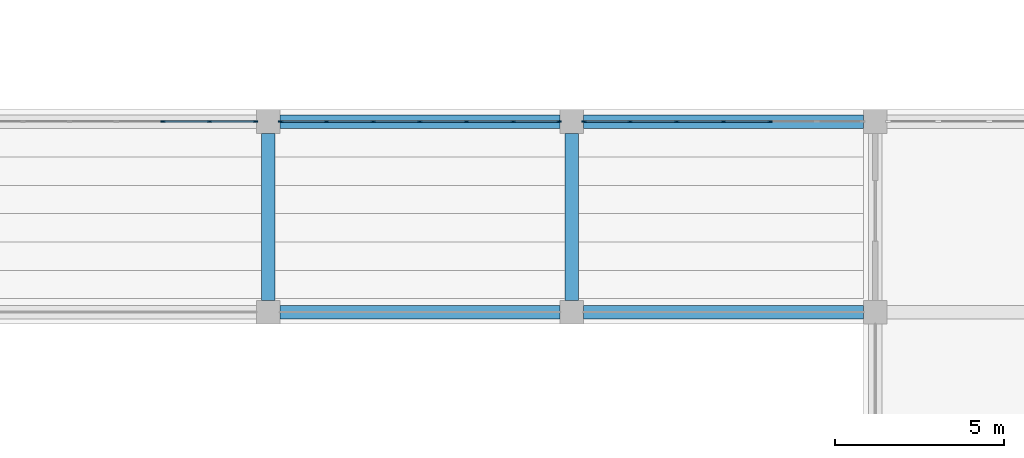
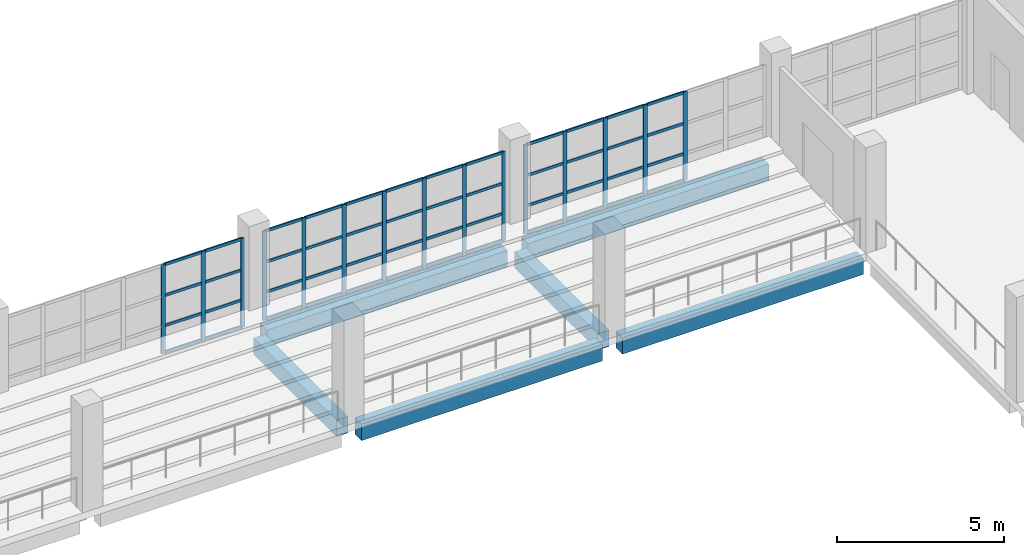
# One storey, part 10 of 36: 63 members, 6 beams, 3 elements without a shape of their own.
"""IFC4 building model written with IfcOpenShell, lengths in metres."""

from ifc_helpers import new_model, si_unit, direction, frame, origin, origin_2d, place, context, subcontext, project, spatial, rectangle, extrude, material, layer, layer_set, material_profile, profile_set, type_object, element, aggregate, save


model = new_model("IFC4")

# Units and contexts
model_context = context("Model", 3, precision=1e-05, world=origin(), true_north=direction((0.0, 1.0)))
body_context = subcontext(model_context, "Body", "Model", "MODEL_VIEW")
ifc_project = project(units=[si_unit("LENGTHUNIT", "METRE"), si_unit("AREAUNIT", "SQUARE_METRE"), si_unit("VOLUMEUNIT", "CUBIC_METRE"), si_unit("PLANEANGLEUNIT", "RADIAN"), si_unit("MASSUNIT", "GRAM", prefix="KILO")], contexts=[model_context])

# Site, building, storey
site_placement = place(None, origin())
site = spatial("IfcSite", under=ifc_project, at=site_placement, CompositionType="ELEMENT")
building_placement = place(site_placement, origin())
building = spatial("IfcBuilding", under=site, at=building_placement, Name="Corbel Stack Research Tower", CompositionType="ELEMENT")
storey_placement = place(building_placement, frame((0.0, 0.0, 7.199951171875)))
storey = spatial("IfcBuildingStorey", under=building, at=storey_placement, Name="L01", CompositionType="ELEMENT", Elevation=7.199951171875)

# Curtain wall, members
ifc_material_1 = material(Name="Aluminium", Category="aluminium")
ifc_layer = layer(ifc_material_1, 0.139892578125)
ifc_layer_set = layer_set([ifc_layer], Name="Aluminium")
curtain_wall_type = type_object("IfcCurtainWallType", Name="CW6 gallery curtain wall", PredefinedType="NOTDEFINED", material=ifc_layer_set)
curtain_wall_1_placement = place(storey_placement, origin())
curtain_wall_1 = element("IfcCurtainWall", 1, at=curtain_wall_1_placement, inside=storey, type_object=curtain_wall_type, Name="Gallery curtain wall L01 10", PredefinedType="NOTDEFINED")
ifc_material_2 = material(Name="Aluminium", Category="aluminium")
ifc_material_profile_1 = material_profile(ifc_material_2, rectangle(XDim=0.050048828125, YDim=0.139892578125, at=origin_2d()), Name="Mullion 50 x 140")
ifc_profile_set_1 = profile_set([ifc_material_profile_1], Name="Aluminium")
member_type_1 = type_object("IfcMemberType", Name="CW6 mullion 50 x 140", PredefinedType="MULLION", material=ifc_profile_set_1)
member_1_placement = place(storey_placement, frame((65.833251953125, 23.64990234375, 0.0), z_axis=(0.0, 0.0, 1.0), x_axis=(0.0, 1.0, 0.0)))
member_1 = element("IfcMember", 2, at=member_1_placement, type_object=member_type_1, Name="CW6 mullion 5", PredefinedType="MULLION", context=body_context, shape_type="SweptSolid", body=[
    extrude(rectangle(XDim=0.050048828125, YDim=0.139892578125, at=origin_2d()), origin(), (0.0, 0.0, 1.0), 3.25),
])
member_2_placement = place(storey_placement, frame((67.216552734375, 23.64990234375, 0.0), z_axis=(0.0, 0.0, 1.0), x_axis=(0.0, 1.0, 0.0)))
member_2 = element("IfcMember", 3, at=member_2_placement, type_object=member_type_1, Name="CW6 mullion 6", PredefinedType="MULLION", context=body_context, shape_type="SweptSolid", body=[
    extrude(rectangle(XDim=0.050048828125, YDim=0.139892578125, at=origin_2d()), origin(), (0.0, 0.0, 1.0), 3.25),
])
member_3_placement = place(storey_placement, frame((68.574951171875, 23.64990234375, 0.0), z_axis=(0.0, 0.0, 1.0), x_axis=(0.0, 1.0, 0.0)))
member_3 = element("IfcMember", 4, at=member_3_placement, type_object=member_type_1, Name="CW6 mullion 7", PredefinedType="MULLION", context=body_context, shape_type="SweptSolid", body=[
    extrude(rectangle(XDim=0.050048828125, YDim=0.139892578125, at=origin_2d()), origin(), (0.0, 0.0, 1.0), 3.25),
])

curtain_wall_2_placement = place(storey_placement, origin())
curtain_wall_2 = element("IfcCurtainWall", 5, at=curtain_wall_2_placement, inside=storey, type_object=curtain_wall_type, Name="Gallery curtain wall L01 11", PredefinedType="NOTDEFINED")
member_4_placement = place(storey_placement, frame((69.324951171875, 23.64990234375, 0.0), z_axis=(0.0, 0.0, 1.0), x_axis=(0.0, 1.0, 0.0)))
member_4 = element("IfcMember", 6, at=member_4_placement, type_object=member_type_1, Name="CW6 mullion 1", PredefinedType="MULLION", context=body_context, shape_type="SweptSolid", body=[
    extrude(rectangle(XDim=0.050048828125, YDim=0.139892578125, at=origin_2d()), origin(), (0.0, 0.0, 1.0), 3.25),
])
member_5_placement = place(storey_placement, frame((70.683349609375, 23.64990234375, 0.0), z_axis=(0.0, 0.0, 1.0), x_axis=(0.0, 1.0, 0.0)))
member_5 = element("IfcMember", 7, at=member_5_placement, type_object=member_type_1, Name="CW6 mullion 2", PredefinedType="MULLION", context=body_context, shape_type="SweptSolid", body=[
    extrude(rectangle(XDim=0.050048828125, YDim=0.139892578125, at=origin_2d()), origin(), (0.0, 0.0, 1.0), 3.25),
])
member_6_placement = place(storey_placement, frame((72.066650390625, 23.64990234375, 0.0), z_axis=(0.0, 0.0, 1.0), x_axis=(0.0, 1.0, 0.0)))
member_6 = element("IfcMember", 8, at=member_6_placement, type_object=member_type_1, Name="CW6 mullion 3", PredefinedType="MULLION", context=body_context, shape_type="SweptSolid", body=[
    extrude(rectangle(XDim=0.050048828125, YDim=0.139892578125, at=origin_2d()), origin(), (0.0, 0.0, 1.0), 3.25),
])
member_7_placement = place(storey_placement, frame((73.449951171875, 23.64990234375, 0.0), z_axis=(0.0, 0.0, 1.0), x_axis=(0.0, 1.0, 0.0)))
member_7 = element("IfcMember", 9, at=member_7_placement, type_object=member_type_1, Name="CW6 mullion 4", PredefinedType="MULLION", context=body_context, shape_type="SweptSolid", body=[
    extrude(rectangle(XDim=0.050048828125, YDim=0.139892578125, at=origin_2d()), origin(), (0.0, 0.0, 1.0), 3.25),
])
member_8_placement = place(storey_placement, frame((74.833251953125, 23.64990234375, 0.0), z_axis=(0.0, 0.0, 1.0), x_axis=(0.0, 1.0, 0.0)))
member_8 = element("IfcMember", 10, at=member_8_placement, type_object=member_type_1, Name="CW6 mullion 5", PredefinedType="MULLION", context=body_context, shape_type="SweptSolid", body=[
    extrude(rectangle(XDim=0.050048828125, YDim=0.139892578125, at=origin_2d()), origin(), (0.0, 0.0, 1.0), 3.25),
])
member_9_placement = place(storey_placement, frame((76.216552734375, 23.64990234375, 0.0), z_axis=(0.0, 0.0, 1.0), x_axis=(0.0, 1.0, 0.0)))
member_9 = element("IfcMember", 11, at=member_9_placement, type_object=member_type_1, Name="CW6 mullion 6", PredefinedType="MULLION", context=body_context, shape_type="SweptSolid", body=[
    extrude(rectangle(XDim=0.050048828125, YDim=0.139892578125, at=origin_2d()), origin(), (0.0, 0.0, 1.0), 3.25),
])
member_10_placement = place(storey_placement, frame((77.574951171875, 23.64990234375, 0.0), z_axis=(0.0, 0.0, 1.0), x_axis=(0.0, 1.0, 0.0)))
member_10 = element("IfcMember", 12, at=member_10_placement, type_object=member_type_1, Name="CW6 mullion 7", PredefinedType="MULLION", context=body_context, shape_type="SweptSolid", body=[
    extrude(rectangle(XDim=0.050048828125, YDim=0.139892578125, at=origin_2d()), origin(), (0.0, 0.0, 1.0), 3.25),
])

curtain_wall_3_placement = place(storey_placement, origin())
curtain_wall_3 = element("IfcCurtainWall", 13, at=curtain_wall_3_placement, inside=storey, type_object=curtain_wall_type, Name="Gallery curtain wall L01 12", PredefinedType="NOTDEFINED")
member_11_placement = place(storey_placement, frame((78.324951171875, 23.64990234375, 0.0), z_axis=(0.0, 0.0, 1.0), x_axis=(0.0, 1.0, 0.0)))
member_11 = element("IfcMember", 14, at=member_11_placement, type_object=member_type_1, Name="CW6 mullion 1", PredefinedType="MULLION", context=body_context, shape_type="SweptSolid", body=[
    extrude(rectangle(XDim=0.050048828125, YDim=0.139892578125, at=origin_2d()), origin(), (0.0, 0.0, 1.0), 3.25),
])
member_12_placement = place(storey_placement, frame((79.683349609375, 23.64990234375, 0.0), z_axis=(0.0, 0.0, 1.0), x_axis=(0.0, 1.0, 0.0)))
member_12 = element("IfcMember", 15, at=member_12_placement, type_object=member_type_1, Name="CW6 mullion 2", PredefinedType="MULLION", context=body_context, shape_type="SweptSolid", body=[
    extrude(rectangle(XDim=0.050048828125, YDim=0.139892578125, at=origin_2d()), origin(), (0.0, 0.0, 1.0), 3.25),
])
member_13_placement = place(storey_placement, frame((81.066650390625, 23.64990234375, 0.0), z_axis=(0.0, 0.0, 1.0), x_axis=(0.0, 1.0, 0.0)))
member_13 = element("IfcMember", 16, at=member_13_placement, type_object=member_type_1, Name="CW6 mullion 3", PredefinedType="MULLION", context=body_context, shape_type="SweptSolid", body=[
    extrude(rectangle(XDim=0.050048828125, YDim=0.139892578125, at=origin_2d()), origin(), (0.0, 0.0, 1.0), 3.25),
])
member_14_placement = place(storey_placement, frame((82.449951171875, 23.64990234375, 0.0), z_axis=(0.0, 0.0, 1.0), x_axis=(0.0, 1.0, 0.0)))
member_14 = element("IfcMember", 17, at=member_14_placement, type_object=member_type_1, Name="CW6 mullion 4", PredefinedType="MULLION", context=body_context, shape_type="SweptSolid", body=[
    extrude(rectangle(XDim=0.050048828125, YDim=0.139892578125, at=origin_2d()), origin(), (0.0, 0.0, 1.0), 3.25),
])
member_15_placement = place(storey_placement, frame((83.833251953125, 23.64990234375, 0.0), z_axis=(0.0, 0.0, 1.0), x_axis=(0.0, 1.0, 0.0)))
member_15 = element("IfcMember", 18, at=member_15_placement, type_object=member_type_1, Name="CW6 mullion 5", PredefinedType="MULLION", context=body_context, shape_type="SweptSolid", body=[
    extrude(rectangle(XDim=0.050048828125, YDim=0.139892578125, at=origin_2d()), origin(), (0.0, 0.0, 1.0), 3.25),
])

# Member
ifc_material_3 = material(Name="Aluminium", Category="aluminium")
ifc_material_profile_2 = material_profile(ifc_material_3, rectangle(XDim=0.050048828125, YDim=0.10009765625, at=origin_2d()), Name="Transom 50 x 100")
ifc_profile_set_2 = profile_set([ifc_material_profile_2], Name="Aluminium")
member_type_2 = type_object("IfcMemberType", Name="CW6 transom 50 x 100", PredefinedType="USERDEFINED", material=ifc_profile_set_2)
member_16_placement = place(storey_placement, frame((65.8583984375, 23.64990234375, 0.025146484375), z_axis=(1.0, 0.0, 0.0), x_axis=(0.0, 1.0, 0.0)))
member_16 = element("IfcMember", 19, at=member_16_placement, type_object=member_type_2, Name="CW6 transom 5.1", ObjectType="TRANSOM", PredefinedType="USERDEFINED", context=body_context, shape_type="SweptSolid", body=[
    extrude(rectangle(XDim=0.050048828125, YDim=0.10009765625, at=origin_2d()), origin(), (0.0, 0.0, 1.0), 1.333251953125),
])

member_17_placement = place(storey_placement, frame((65.8583984375, 23.64990234375, 1.0), z_axis=(1.0, 0.0, 0.0), x_axis=(0.0, 1.0, 0.0)))
member_17 = element("IfcMember", 20, at=member_17_placement, type_object=member_type_2, Name="CW6 transom 5.2", ObjectType="TRANSOM", PredefinedType="USERDEFINED", context=body_context, shape_type="SweptSolid", body=[
    extrude(rectangle(XDim=0.050048828125, YDim=0.10009765625, at=origin_2d()), origin(), (0.0, 0.0, 1.0), 1.333251953125),
])

member_18_placement = place(storey_placement, frame((65.8583984375, 23.64990234375, 2.10009765625), z_axis=(1.0, 0.0, 0.0), x_axis=(0.0, 1.0, 0.0)))
member_18 = element("IfcMember", 21, at=member_18_placement, type_object=member_type_2, Name="CW6 transom 5.3", ObjectType="TRANSOM", PredefinedType="USERDEFINED", context=body_context, shape_type="SweptSolid", body=[
    extrude(rectangle(XDim=0.050048828125, YDim=0.10009765625, at=origin_2d()), origin(), (0.0, 0.0, 1.0), 1.333251953125),
])

member_19_placement = place(storey_placement, frame((65.8583984375, 23.64990234375, 3.22509765625), z_axis=(1.0, 0.0, 0.0), x_axis=(0.0, 1.0, 0.0)))
member_19 = element("IfcMember", 22, at=member_19_placement, type_object=member_type_2, Name="CW6 transom 5.4", ObjectType="TRANSOM", PredefinedType="USERDEFINED", context=body_context, shape_type="SweptSolid", body=[
    extrude(rectangle(XDim=0.050048828125, YDim=0.10009765625, at=origin_2d()), origin(), (0.0, 0.0, 1.0), 1.333251953125),
])

member_20_placement = place(storey_placement, frame((67.24169921875, 23.64990234375, 0.025146484375), z_axis=(1.0, 0.0, 0.0), x_axis=(0.0, 1.0, 0.0)))
member_20 = element("IfcMember", 23, at=member_20_placement, type_object=member_type_2, Name="CW6 transom 6.1", ObjectType="TRANSOM", PredefinedType="USERDEFINED", context=body_context, shape_type="SweptSolid", body=[
    extrude(rectangle(XDim=0.050048828125, YDim=0.10009765625, at=origin_2d()), origin(), (0.0, 0.0, 1.0), 1.308349609375),
])

member_21_placement = place(storey_placement, frame((67.24169921875, 23.64990234375, 1.0), z_axis=(1.0, 0.0, 0.0), x_axis=(0.0, 1.0, 0.0)))
member_21 = element("IfcMember", 24, at=member_21_placement, type_object=member_type_2, Name="CW6 transom 6.2", ObjectType="TRANSOM", PredefinedType="USERDEFINED", context=body_context, shape_type="SweptSolid", body=[
    extrude(rectangle(XDim=0.050048828125, YDim=0.10009765625, at=origin_2d()), origin(), (0.0, 0.0, 1.0), 1.308349609375),
])

member_22_placement = place(storey_placement, frame((67.24169921875, 23.64990234375, 2.10009765625), z_axis=(1.0, 0.0, 0.0), x_axis=(0.0, 1.0, 0.0)))
member_22 = element("IfcMember", 25, at=member_22_placement, type_object=member_type_2, Name="CW6 transom 6.3", ObjectType="TRANSOM", PredefinedType="USERDEFINED", context=body_context, shape_type="SweptSolid", body=[
    extrude(rectangle(XDim=0.050048828125, YDim=0.10009765625, at=origin_2d()), origin(), (0.0, 0.0, 1.0), 1.308349609375),
])

member_23_placement = place(storey_placement, frame((67.24169921875, 23.64990234375, 3.22509765625), z_axis=(1.0, 0.0, 0.0), x_axis=(0.0, 1.0, 0.0)))
member_23 = element("IfcMember", 26, at=member_23_placement, type_object=member_type_2, Name="CW6 transom 6.4", ObjectType="TRANSOM", PredefinedType="USERDEFINED", context=body_context, shape_type="SweptSolid", body=[
    extrude(rectangle(XDim=0.050048828125, YDim=0.10009765625, at=origin_2d()), origin(), (0.0, 0.0, 1.0), 1.308349609375),
])

aggregate(curtain_wall_1, [member_1, member_2, member_3, member_16, member_17, member_18, member_19, member_20, member_21, member_22, member_23])

member_24_placement = place(storey_placement, frame((69.35009765625, 23.64990234375, 0.025146484375), z_axis=(1.0, 0.0, 0.0), x_axis=(0.0, 1.0, 0.0)))
member_24 = element("IfcMember", 27, at=member_24_placement, type_object=member_type_2, Name="CW6 transom 1.1", ObjectType="TRANSOM", PredefinedType="USERDEFINED", context=body_context, shape_type="SweptSolid", body=[
    extrude(rectangle(XDim=0.050048828125, YDim=0.10009765625, at=origin_2d()), origin(), (0.0, 0.0, 1.0), 1.308349609375),
])

member_25_placement = place(storey_placement, frame((69.35009765625, 23.64990234375, 1.0), z_axis=(1.0, 0.0, 0.0), x_axis=(0.0, 1.0, 0.0)))
member_25 = element("IfcMember", 28, at=member_25_placement, type_object=member_type_2, Name="CW6 transom 1.2", ObjectType="TRANSOM", PredefinedType="USERDEFINED", context=body_context, shape_type="SweptSolid", body=[
    extrude(rectangle(XDim=0.050048828125, YDim=0.10009765625, at=origin_2d()), origin(), (0.0, 0.0, 1.0), 1.308349609375),
])

member_26_placement = place(storey_placement, frame((69.35009765625, 23.64990234375, 2.10009765625), z_axis=(1.0, 0.0, 0.0), x_axis=(0.0, 1.0, 0.0)))
member_26 = element("IfcMember", 29, at=member_26_placement, type_object=member_type_2, Name="CW6 transom 1.3", ObjectType="TRANSOM", PredefinedType="USERDEFINED", context=body_context, shape_type="SweptSolid", body=[
    extrude(rectangle(XDim=0.050048828125, YDim=0.10009765625, at=origin_2d()), origin(), (0.0, 0.0, 1.0), 1.308349609375),
])

member_27_placement = place(storey_placement, frame((69.35009765625, 23.64990234375, 3.22509765625), z_axis=(1.0, 0.0, 0.0), x_axis=(0.0, 1.0, 0.0)))
member_27 = element("IfcMember", 30, at=member_27_placement, type_object=member_type_2, Name="CW6 transom 1.4", ObjectType="TRANSOM", PredefinedType="USERDEFINED", context=body_context, shape_type="SweptSolid", body=[
    extrude(rectangle(XDim=0.050048828125, YDim=0.10009765625, at=origin_2d()), origin(), (0.0, 0.0, 1.0), 1.308349609375),
])

member_28_placement = place(storey_placement, frame((70.708251953125, 23.64990234375, 0.025146484375), z_axis=(1.0, 0.0, 0.0), x_axis=(0.0, 1.0, 0.0)))
member_28 = element("IfcMember", 31, at=member_28_placement, type_object=member_type_2, Name="CW6 transom 2.1", ObjectType="TRANSOM", PredefinedType="USERDEFINED", context=body_context, shape_type="SweptSolid", body=[
    extrude(rectangle(XDim=0.050048828125, YDim=0.10009765625, at=origin_2d()), origin(), (0.0, 0.0, 1.0), 1.33349609375),
])

member_29_placement = place(storey_placement, frame((70.708251953125, 23.64990234375, 1.0), z_axis=(1.0, 0.0, 0.0), x_axis=(0.0, 1.0, 0.0)))
member_29 = element("IfcMember", 32, at=member_29_placement, type_object=member_type_2, Name="CW6 transom 2.2", ObjectType="TRANSOM", PredefinedType="USERDEFINED", context=body_context, shape_type="SweptSolid", body=[
    extrude(rectangle(XDim=0.050048828125, YDim=0.10009765625, at=origin_2d()), origin(), (0.0, 0.0, 1.0), 1.33349609375),
])

member_30_placement = place(storey_placement, frame((70.708251953125, 23.64990234375, 2.10009765625), z_axis=(1.0, 0.0, 0.0), x_axis=(0.0, 1.0, 0.0)))
member_30 = element("IfcMember", 33, at=member_30_placement, type_object=member_type_2, Name="CW6 transom 2.3", ObjectType="TRANSOM", PredefinedType="USERDEFINED", context=body_context, shape_type="SweptSolid", body=[
    extrude(rectangle(XDim=0.050048828125, YDim=0.10009765625, at=origin_2d()), origin(), (0.0, 0.0, 1.0), 1.33349609375),
])

member_31_placement = place(storey_placement, frame((70.708251953125, 23.64990234375, 3.22509765625), z_axis=(1.0, 0.0, 0.0), x_axis=(0.0, 1.0, 0.0)))
member_31 = element("IfcMember", 34, at=member_31_placement, type_object=member_type_2, Name="CW6 transom 2.4", ObjectType="TRANSOM", PredefinedType="USERDEFINED", context=body_context, shape_type="SweptSolid", body=[
    extrude(rectangle(XDim=0.050048828125, YDim=0.10009765625, at=origin_2d()), origin(), (0.0, 0.0, 1.0), 1.33349609375),
])

member_32_placement = place(storey_placement, frame((72.091552734375, 23.64990234375, 0.025146484375), z_axis=(1.0, 0.0, 0.0), x_axis=(0.0, 1.0, 0.0)))
member_32 = element("IfcMember", 35, at=member_32_placement, type_object=member_type_2, Name="CW6 transom 3.1", ObjectType="TRANSOM", PredefinedType="USERDEFINED", context=body_context, shape_type="SweptSolid", body=[
    extrude(rectangle(XDim=0.050048828125, YDim=0.10009765625, at=origin_2d()), origin(), (0.0, 0.0, 1.0), 1.33349609375),
])

member_33_placement = place(storey_placement, frame((72.091552734375, 23.64990234375, 1.0), z_axis=(1.0, 0.0, 0.0), x_axis=(0.0, 1.0, 0.0)))
member_33 = element("IfcMember", 36, at=member_33_placement, type_object=member_type_2, Name="CW6 transom 3.2", ObjectType="TRANSOM", PredefinedType="USERDEFINED", context=body_context, shape_type="SweptSolid", body=[
    extrude(rectangle(XDim=0.050048828125, YDim=0.10009765625, at=origin_2d()), origin(), (0.0, 0.0, 1.0), 1.33349609375),
])

member_34_placement = place(storey_placement, frame((72.091552734375, 23.64990234375, 2.10009765625), z_axis=(1.0, 0.0, 0.0), x_axis=(0.0, 1.0, 0.0)))
member_34 = element("IfcMember", 37, at=member_34_placement, type_object=member_type_2, Name="CW6 transom 3.3", ObjectType="TRANSOM", PredefinedType="USERDEFINED", context=body_context, shape_type="SweptSolid", body=[
    extrude(rectangle(XDim=0.050048828125, YDim=0.10009765625, at=origin_2d()), origin(), (0.0, 0.0, 1.0), 1.33349609375),
])

member_35_placement = place(storey_placement, frame((72.091552734375, 23.64990234375, 3.22509765625), z_axis=(1.0, 0.0, 0.0), x_axis=(0.0, 1.0, 0.0)))
member_35 = element("IfcMember", 38, at=member_35_placement, type_object=member_type_2, Name="CW6 transom 3.4", ObjectType="TRANSOM", PredefinedType="USERDEFINED", context=body_context, shape_type="SweptSolid", body=[
    extrude(rectangle(XDim=0.050048828125, YDim=0.10009765625, at=origin_2d()), origin(), (0.0, 0.0, 1.0), 1.33349609375),
])

member_36_placement = place(storey_placement, frame((73.47509765625, 23.64990234375, 0.025146484375), z_axis=(1.0, 0.0, 0.0), x_axis=(0.0, 1.0, 0.0)))
member_36 = element("IfcMember", 39, at=member_36_placement, type_object=member_type_2, Name="CW6 transom 4.1", ObjectType="TRANSOM", PredefinedType="USERDEFINED", context=body_context, shape_type="SweptSolid", body=[
    extrude(rectangle(XDim=0.050048828125, YDim=0.10009765625, at=origin_2d()), origin(), (0.0, 0.0, 1.0), 1.333251953125),
])

member_37_placement = place(storey_placement, frame((73.47509765625, 23.64990234375, 1.0), z_axis=(1.0, 0.0, 0.0), x_axis=(0.0, 1.0, 0.0)))
member_37 = element("IfcMember", 40, at=member_37_placement, type_object=member_type_2, Name="CW6 transom 4.2", ObjectType="TRANSOM", PredefinedType="USERDEFINED", context=body_context, shape_type="SweptSolid", body=[
    extrude(rectangle(XDim=0.050048828125, YDim=0.10009765625, at=origin_2d()), origin(), (0.0, 0.0, 1.0), 1.333251953125),
])

member_38_placement = place(storey_placement, frame((73.47509765625, 23.64990234375, 2.10009765625), z_axis=(1.0, 0.0, 0.0), x_axis=(0.0, 1.0, 0.0)))
member_38 = element("IfcMember", 41, at=member_38_placement, type_object=member_type_2, Name="CW6 transom 4.3", ObjectType="TRANSOM", PredefinedType="USERDEFINED", context=body_context, shape_type="SweptSolid", body=[
    extrude(rectangle(XDim=0.050048828125, YDim=0.10009765625, at=origin_2d()), origin(), (0.0, 0.0, 1.0), 1.333251953125),
])

member_39_placement = place(storey_placement, frame((73.47509765625, 23.64990234375, 3.22509765625), z_axis=(1.0, 0.0, 0.0), x_axis=(0.0, 1.0, 0.0)))
member_39 = element("IfcMember", 42, at=member_39_placement, type_object=member_type_2, Name="CW6 transom 4.4", ObjectType="TRANSOM", PredefinedType="USERDEFINED", context=body_context, shape_type="SweptSolid", body=[
    extrude(rectangle(XDim=0.050048828125, YDim=0.10009765625, at=origin_2d()), origin(), (0.0, 0.0, 1.0), 1.333251953125),
])

member_40_placement = place(storey_placement, frame((74.8583984375, 23.64990234375, 0.025146484375), z_axis=(1.0, 0.0, 0.0), x_axis=(0.0, 1.0, 0.0)))
member_40 = element("IfcMember", 43, at=member_40_placement, type_object=member_type_2, Name="CW6 transom 5.1", ObjectType="TRANSOM", PredefinedType="USERDEFINED", context=body_context, shape_type="SweptSolid", body=[
    extrude(rectangle(XDim=0.050048828125, YDim=0.10009765625, at=origin_2d()), origin(), (0.0, 0.0, 1.0), 1.333251953125),
])

member_41_placement = place(storey_placement, frame((74.8583984375, 23.64990234375, 1.0), z_axis=(1.0, 0.0, 0.0), x_axis=(0.0, 1.0, 0.0)))
member_41 = element("IfcMember", 44, at=member_41_placement, type_object=member_type_2, Name="CW6 transom 5.2", ObjectType="TRANSOM", PredefinedType="USERDEFINED", context=body_context, shape_type="SweptSolid", body=[
    extrude(rectangle(XDim=0.050048828125, YDim=0.10009765625, at=origin_2d()), origin(), (0.0, 0.0, 1.0), 1.333251953125),
])

member_42_placement = place(storey_placement, frame((74.8583984375, 23.64990234375, 2.10009765625), z_axis=(1.0, 0.0, 0.0), x_axis=(0.0, 1.0, 0.0)))
member_42 = element("IfcMember", 45, at=member_42_placement, type_object=member_type_2, Name="CW6 transom 5.3", ObjectType="TRANSOM", PredefinedType="USERDEFINED", context=body_context, shape_type="SweptSolid", body=[
    extrude(rectangle(XDim=0.050048828125, YDim=0.10009765625, at=origin_2d()), origin(), (0.0, 0.0, 1.0), 1.333251953125),
])

member_43_placement = place(storey_placement, frame((74.8583984375, 23.64990234375, 3.22509765625), z_axis=(1.0, 0.0, 0.0), x_axis=(0.0, 1.0, 0.0)))
member_43 = element("IfcMember", 46, at=member_43_placement, type_object=member_type_2, Name="CW6 transom 5.4", ObjectType="TRANSOM", PredefinedType="USERDEFINED", context=body_context, shape_type="SweptSolid", body=[
    extrude(rectangle(XDim=0.050048828125, YDim=0.10009765625, at=origin_2d()), origin(), (0.0, 0.0, 1.0), 1.333251953125),
])

member_44_placement = place(storey_placement, frame((76.24169921875, 23.64990234375, 0.025146484375), z_axis=(1.0, 0.0, 0.0), x_axis=(0.0, 1.0, 0.0)))
member_44 = element("IfcMember", 47, at=member_44_placement, type_object=member_type_2, Name="CW6 transom 6.1", ObjectType="TRANSOM", PredefinedType="USERDEFINED", context=body_context, shape_type="SweptSolid", body=[
    extrude(rectangle(XDim=0.050048828125, YDim=0.10009765625, at=origin_2d()), origin(), (0.0, 0.0, 1.0), 1.308349609375),
])

member_45_placement = place(storey_placement, frame((76.24169921875, 23.64990234375, 1.0), z_axis=(1.0, 0.0, 0.0), x_axis=(0.0, 1.0, 0.0)))
member_45 = element("IfcMember", 48, at=member_45_placement, type_object=member_type_2, Name="CW6 transom 6.2", ObjectType="TRANSOM", PredefinedType="USERDEFINED", context=body_context, shape_type="SweptSolid", body=[
    extrude(rectangle(XDim=0.050048828125, YDim=0.10009765625, at=origin_2d()), origin(), (0.0, 0.0, 1.0), 1.308349609375),
])

member_46_placement = place(storey_placement, frame((76.24169921875, 23.64990234375, 2.10009765625), z_axis=(1.0, 0.0, 0.0), x_axis=(0.0, 1.0, 0.0)))
member_46 = element("IfcMember", 49, at=member_46_placement, type_object=member_type_2, Name="CW6 transom 6.3", ObjectType="TRANSOM", PredefinedType="USERDEFINED", context=body_context, shape_type="SweptSolid", body=[
    extrude(rectangle(XDim=0.050048828125, YDim=0.10009765625, at=origin_2d()), origin(), (0.0, 0.0, 1.0), 1.308349609375),
])

member_47_placement = place(storey_placement, frame((76.24169921875, 23.64990234375, 3.22509765625), z_axis=(1.0, 0.0, 0.0), x_axis=(0.0, 1.0, 0.0)))
member_47 = element("IfcMember", 50, at=member_47_placement, type_object=member_type_2, Name="CW6 transom 6.4", ObjectType="TRANSOM", PredefinedType="USERDEFINED", context=body_context, shape_type="SweptSolid", body=[
    extrude(rectangle(XDim=0.050048828125, YDim=0.10009765625, at=origin_2d()), origin(), (0.0, 0.0, 1.0), 1.308349609375),
])

aggregate(curtain_wall_2, [member_4, member_5, member_6, member_7, member_8, member_9, member_10, member_24, member_25, member_26, member_27, member_28, member_29, member_30, member_31, member_32, member_33, member_34, member_35, member_36, member_37, member_38, member_39, member_40, member_41, member_42, member_43, member_44, member_45, member_46, member_47])

member_48_placement = place(storey_placement, frame((78.35009765625, 23.64990234375, 0.025146484375), z_axis=(1.0, 0.0, 0.0), x_axis=(0.0, 1.0, 0.0)))
member_48 = element("IfcMember", 51, at=member_48_placement, type_object=member_type_2, Name="CW6 transom 1.1", ObjectType="TRANSOM", PredefinedType="USERDEFINED", context=body_context, shape_type="SweptSolid", body=[
    extrude(rectangle(XDim=0.050048828125, YDim=0.10009765625, at=origin_2d()), origin(), (0.0, 0.0, 1.0), 1.308349609375),
])

member_49_placement = place(storey_placement, frame((78.35009765625, 23.64990234375, 1.0), z_axis=(1.0, 0.0, 0.0), x_axis=(0.0, 1.0, 0.0)))
member_49 = element("IfcMember", 52, at=member_49_placement, type_object=member_type_2, Name="CW6 transom 1.2", ObjectType="TRANSOM", PredefinedType="USERDEFINED", context=body_context, shape_type="SweptSolid", body=[
    extrude(rectangle(XDim=0.050048828125, YDim=0.10009765625, at=origin_2d()), origin(), (0.0, 0.0, 1.0), 1.308349609375),
])

member_50_placement = place(storey_placement, frame((78.35009765625, 23.64990234375, 2.10009765625), z_axis=(1.0, 0.0, 0.0), x_axis=(0.0, 1.0, 0.0)))
member_50 = element("IfcMember", 53, at=member_50_placement, type_object=member_type_2, Name="CW6 transom 1.3", ObjectType="TRANSOM", PredefinedType="USERDEFINED", context=body_context, shape_type="SweptSolid", body=[
    extrude(rectangle(XDim=0.050048828125, YDim=0.10009765625, at=origin_2d()), origin(), (0.0, 0.0, 1.0), 1.308349609375),
])

member_51_placement = place(storey_placement, frame((78.35009765625, 23.64990234375, 3.22509765625), z_axis=(1.0, 0.0, 0.0), x_axis=(0.0, 1.0, 0.0)))
member_51 = element("IfcMember", 54, at=member_51_placement, type_object=member_type_2, Name="CW6 transom 1.4", ObjectType="TRANSOM", PredefinedType="USERDEFINED", context=body_context, shape_type="SweptSolid", body=[
    extrude(rectangle(XDim=0.050048828125, YDim=0.10009765625, at=origin_2d()), origin(), (0.0, 0.0, 1.0), 1.308349609375),
])

member_52_placement = place(storey_placement, frame((79.708251953125, 23.64990234375, 0.025146484375), z_axis=(1.0, 0.0, 0.0), x_axis=(0.0, 1.0, 0.0)))
member_52 = element("IfcMember", 55, at=member_52_placement, type_object=member_type_2, Name="CW6 transom 2.1", ObjectType="TRANSOM", PredefinedType="USERDEFINED", context=body_context, shape_type="SweptSolid", body=[
    extrude(rectangle(XDim=0.050048828125, YDim=0.10009765625, at=origin_2d()), origin(), (0.0, 0.0, 1.0), 1.33349609375),
])

member_53_placement = place(storey_placement, frame((79.708251953125, 23.64990234375, 1.0), z_axis=(1.0, 0.0, 0.0), x_axis=(0.0, 1.0, 0.0)))
member_53 = element("IfcMember", 56, at=member_53_placement, type_object=member_type_2, Name="CW6 transom 2.2", ObjectType="TRANSOM", PredefinedType="USERDEFINED", context=body_context, shape_type="SweptSolid", body=[
    extrude(rectangle(XDim=0.050048828125, YDim=0.10009765625, at=origin_2d()), origin(), (0.0, 0.0, 1.0), 1.33349609375),
])

member_54_placement = place(storey_placement, frame((79.708251953125, 23.64990234375, 2.10009765625), z_axis=(1.0, 0.0, 0.0), x_axis=(0.0, 1.0, 0.0)))
member_54 = element("IfcMember", 57, at=member_54_placement, type_object=member_type_2, Name="CW6 transom 2.3", ObjectType="TRANSOM", PredefinedType="USERDEFINED", context=body_context, shape_type="SweptSolid", body=[
    extrude(rectangle(XDim=0.050048828125, YDim=0.10009765625, at=origin_2d()), origin(), (0.0, 0.0, 1.0), 1.33349609375),
])

member_55_placement = place(storey_placement, frame((79.708251953125, 23.64990234375, 3.22509765625), z_axis=(1.0, 0.0, 0.0), x_axis=(0.0, 1.0, 0.0)))
member_55 = element("IfcMember", 58, at=member_55_placement, type_object=member_type_2, Name="CW6 transom 2.4", ObjectType="TRANSOM", PredefinedType="USERDEFINED", context=body_context, shape_type="SweptSolid", body=[
    extrude(rectangle(XDim=0.050048828125, YDim=0.10009765625, at=origin_2d()), origin(), (0.0, 0.0, 1.0), 1.33349609375),
])

member_56_placement = place(storey_placement, frame((81.091552734375, 23.64990234375, 0.025146484375), z_axis=(1.0, 0.0, 0.0), x_axis=(0.0, 1.0, 0.0)))
member_56 = element("IfcMember", 59, at=member_56_placement, type_object=member_type_2, Name="CW6 transom 3.1", ObjectType="TRANSOM", PredefinedType="USERDEFINED", context=body_context, shape_type="SweptSolid", body=[
    extrude(rectangle(XDim=0.050048828125, YDim=0.10009765625, at=origin_2d()), origin(), (0.0, 0.0, 1.0), 1.33349609375),
])

member_57_placement = place(storey_placement, frame((81.091552734375, 23.64990234375, 1.0), z_axis=(1.0, 0.0, 0.0), x_axis=(0.0, 1.0, 0.0)))
member_57 = element("IfcMember", 60, at=member_57_placement, type_object=member_type_2, Name="CW6 transom 3.2", ObjectType="TRANSOM", PredefinedType="USERDEFINED", context=body_context, shape_type="SweptSolid", body=[
    extrude(rectangle(XDim=0.050048828125, YDim=0.10009765625, at=origin_2d()), origin(), (0.0, 0.0, 1.0), 1.33349609375),
])

member_58_placement = place(storey_placement, frame((81.091552734375, 23.64990234375, 2.10009765625), z_axis=(1.0, 0.0, 0.0), x_axis=(0.0, 1.0, 0.0)))
member_58 = element("IfcMember", 61, at=member_58_placement, type_object=member_type_2, Name="CW6 transom 3.3", ObjectType="TRANSOM", PredefinedType="USERDEFINED", context=body_context, shape_type="SweptSolid", body=[
    extrude(rectangle(XDim=0.050048828125, YDim=0.10009765625, at=origin_2d()), origin(), (0.0, 0.0, 1.0), 1.33349609375),
])

member_59_placement = place(storey_placement, frame((81.091552734375, 23.64990234375, 3.22509765625), z_axis=(1.0, 0.0, 0.0), x_axis=(0.0, 1.0, 0.0)))
member_59 = element("IfcMember", 62, at=member_59_placement, type_object=member_type_2, Name="CW6 transom 3.4", ObjectType="TRANSOM", PredefinedType="USERDEFINED", context=body_context, shape_type="SweptSolid", body=[
    extrude(rectangle(XDim=0.050048828125, YDim=0.10009765625, at=origin_2d()), origin(), (0.0, 0.0, 1.0), 1.33349609375),
])

member_60_placement = place(storey_placement, frame((82.47509765625, 23.64990234375, 0.025146484375), z_axis=(1.0, 0.0, 0.0), x_axis=(0.0, 1.0, 0.0)))
member_60 = element("IfcMember", 63, at=member_60_placement, type_object=member_type_2, Name="CW6 transom 4.1", ObjectType="TRANSOM", PredefinedType="USERDEFINED", context=body_context, shape_type="SweptSolid", body=[
    extrude(rectangle(XDim=0.050048828125, YDim=0.10009765625, at=origin_2d()), origin(), (0.0, 0.0, 1.0), 1.333251953125),
])

member_61_placement = place(storey_placement, frame((82.47509765625, 23.64990234375, 1.0), z_axis=(1.0, 0.0, 0.0), x_axis=(0.0, 1.0, 0.0)))
member_61 = element("IfcMember", 64, at=member_61_placement, type_object=member_type_2, Name="CW6 transom 4.2", ObjectType="TRANSOM", PredefinedType="USERDEFINED", context=body_context, shape_type="SweptSolid", body=[
    extrude(rectangle(XDim=0.050048828125, YDim=0.10009765625, at=origin_2d()), origin(), (0.0, 0.0, 1.0), 1.333251953125),
])

member_62_placement = place(storey_placement, frame((82.47509765625, 23.64990234375, 2.10009765625), z_axis=(1.0, 0.0, 0.0), x_axis=(0.0, 1.0, 0.0)))
member_62 = element("IfcMember", 65, at=member_62_placement, type_object=member_type_2, Name="CW6 transom 4.3", ObjectType="TRANSOM", PredefinedType="USERDEFINED", context=body_context, shape_type="SweptSolid", body=[
    extrude(rectangle(XDim=0.050048828125, YDim=0.10009765625, at=origin_2d()), origin(), (0.0, 0.0, 1.0), 1.333251953125),
])

member_63_placement = place(storey_placement, frame((82.47509765625, 23.64990234375, 3.22509765625), z_axis=(1.0, 0.0, 0.0), x_axis=(0.0, 1.0, 0.0)))
member_63 = element("IfcMember", 66, at=member_63_placement, type_object=member_type_2, Name="CW6 transom 4.4", ObjectType="TRANSOM", PredefinedType="USERDEFINED", context=body_context, shape_type="SweptSolid", body=[
    extrude(rectangle(XDim=0.050048828125, YDim=0.10009765625, at=origin_2d()), origin(), (0.0, 0.0, 1.0), 1.333251953125),
])

aggregate(curtain_wall_3, [member_11, member_12, member_13, member_14, member_15, member_48, member_49, member_50, member_51, member_52, member_53, member_54, member_55, member_56, member_57, member_58, member_59, member_60, member_61, member_62, member_63])

# Beams
ifc_material_4 = material(Name="Concrete C40/50", Category="concrete")
ifc_material_profile_3 = material_profile(ifc_material_4, rectangle(XDim=0.39990234375, YDim=0.60009765625, at=origin_2d()), Name="RC 400 x 600")
ifc_profile_set_3 = profile_set([ifc_material_profile_3], Name="Concrete C40/50")
beam_type = type_object("IfcBeamType", Name="HB1 RC beam 400 x 600", PredefinedType="BEAM", material=ifc_profile_set_3)
beam_1_placement = place(storey_placement, frame((69.300048828125, 18.0, -0.550048828125), z_axis=(1.0, 0.0, 0.0), x_axis=(0.0, 1.0, 0.0)))
element("IfcBeam", 67, at=beam_1_placement, inside=storey, type_object=beam_type, Name="Floor beam L01 H5HF-H6HF", PredefinedType="BEAM", context=body_context, shape_type="SweptSolid", body=[
    extrude(rectangle(XDim=0.39990234375, YDim=0.60009765625, at=origin_2d()), origin(), (0.0, 0.0, 1.0), 8.300048828125),
])
beam_2_placement = place(storey_placement, frame((68.949951171875, 18.35009765625, -0.550048828125), z_axis=(0.0, 1.0, 0.0), x_axis=(-1.0, 0.0, 0.0)))
element("IfcBeam", 68, at=beam_2_placement, inside=storey, type_object=beam_type, Name="Floor beam L01 H5HF-H5HG", PredefinedType="BEAM", context=body_context, shape_type="SweptSolid", body=[
    extrude(rectangle(XDim=0.39990234375, YDim=0.60009765625, at=origin_2d()), origin(), (0.0, 0.0, 1.0), 4.949951171875),
])
for number, where, z_axis, x_axis, name in (
    (69, (69.300048828125, 23.64990234375, -0.550048828125), (1.0, 0.0, 0.0), (0.0, 1.0, 0.0), "Floor beam L01 H5HG-H6HG"),
    (70, (78.300048828125, 18.0, -0.550048828125), (1.0, 0.0, 0.0), (0.0, 1.0, 0.0), "Floor beam L01 H6HF-H7HF"),
):
    element("IfcBeam", number, at=place(storey_placement, frame(where, z_axis=z_axis, x_axis=x_axis)), inside=storey, type_object=beam_type, Name=name, PredefinedType="BEAM", context=body_context, shape_type="SweptSolid", body=[
        extrude(rectangle(XDim=0.39990234375, YDim=0.60009765625, at=origin_2d()), origin(), (0.0, 0.0, 1.0), 8.300048828125),
    ])
beam_3_placement = place(storey_placement, frame((77.949951171875, 18.35009765625, -0.550048828125), z_axis=(0.0, 1.0, 0.0), x_axis=(-1.0, 0.0, 0.0)))
element("IfcBeam", 71, at=beam_3_placement, inside=storey, type_object=beam_type, Name="Floor beam L01 H6HF-H6HG", PredefinedType="BEAM", context=body_context, shape_type="SweptSolid", body=[
    extrude(rectangle(XDim=0.39990234375, YDim=0.60009765625, at=origin_2d()), origin(), (0.0, 0.0, 1.0), 4.949951171875),
])
beam_4_placement = place(storey_placement, frame((78.300048828125, 23.64990234375, -0.550048828125), z_axis=(1.0, 0.0, 0.0), x_axis=(0.0, 1.0, 0.0)))
element("IfcBeam", 72, at=beam_4_placement, inside=storey, type_object=beam_type, Name="Floor beam L01 H6HG-H7HG", PredefinedType="BEAM", context=body_context, shape_type="SweptSolid", body=[
    extrude(rectangle(XDim=0.39990234375, YDim=0.60009765625, at=origin_2d()), origin(), (0.0, 0.0, 1.0), 8.300048828125),
])

save(model, "model.ifc")
